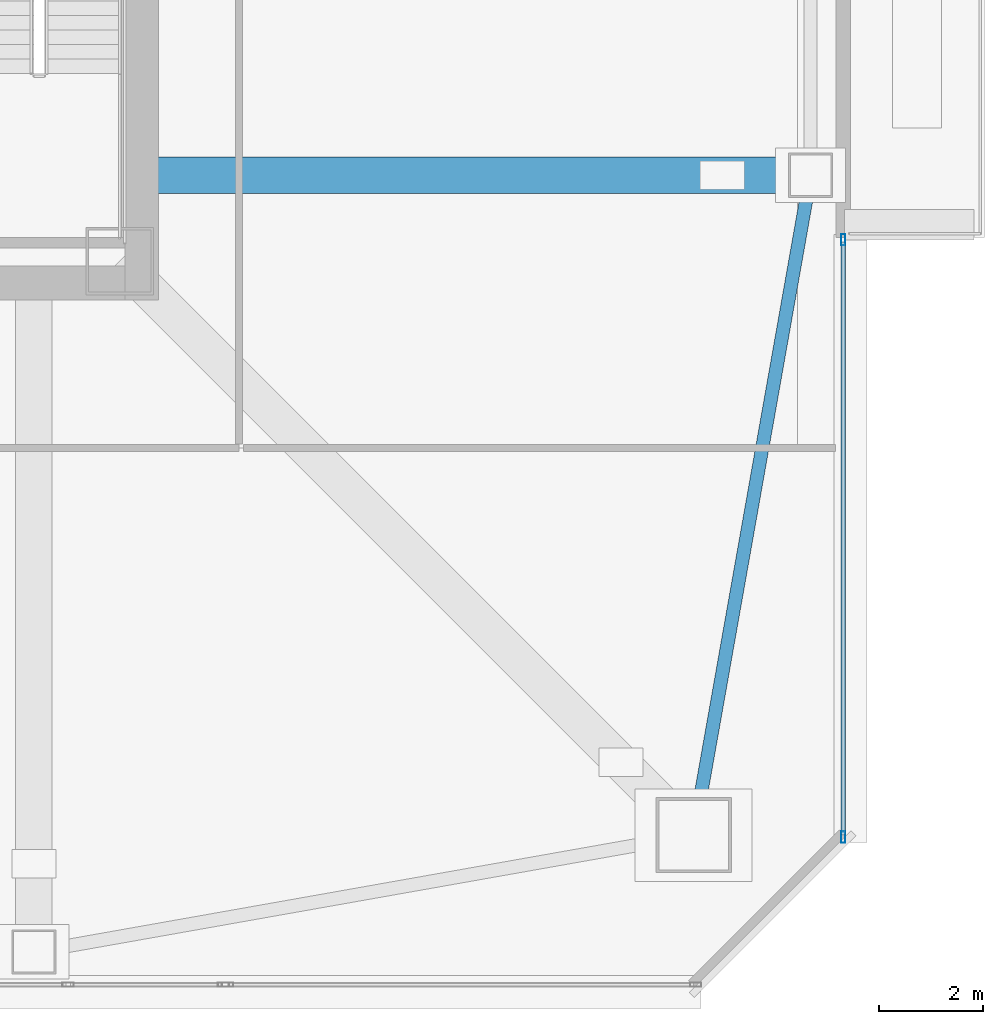
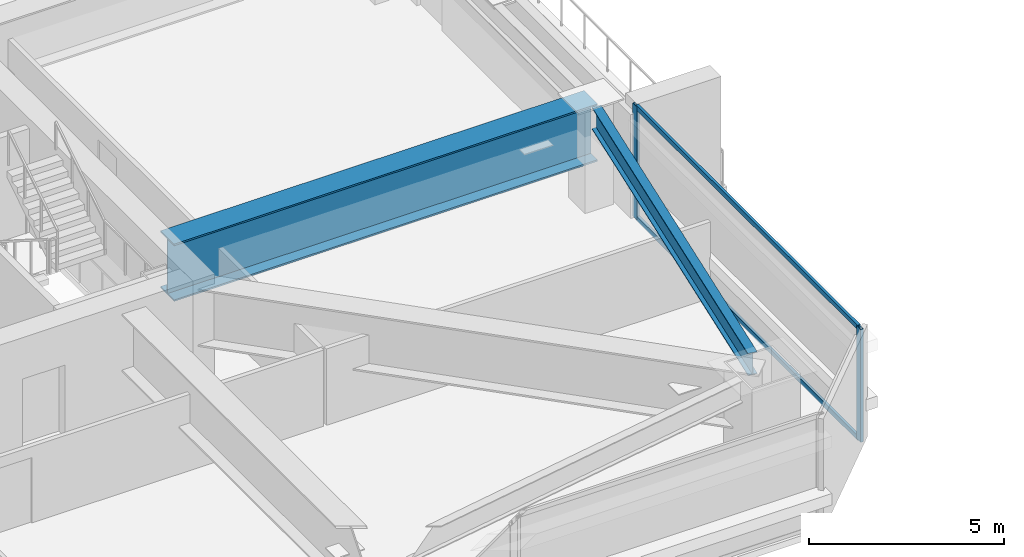
# One storey, part 9 of 49: 4 members, 2 beams, 1 element without a shape of its own.
"""IFC4 building model written with IfcOpenShell, lengths in metres."""

from ifc_helpers import new_model, si_unit, direction, frame, origin, origin_2d, place, context, subcontext, project, spatial, hollow_rectangle, i_section, extrude, material, material_profile, profile_set, type_object, element, aggregate, save


model = new_model("IFC4")

# Units and contexts
model_context = context("Model", 3, precision=1e-05, world=origin(), true_north=direction((0.0, 1.0)))
body_context = subcontext(model_context, "Body", "Model", "MODEL_VIEW")
ifc_project = project(units=[si_unit("LENGTHUNIT", "METRE"), si_unit("AREAUNIT", "SQUARE_METRE"), si_unit("VOLUMEUNIT", "CUBIC_METRE"), si_unit("PLANEANGLEUNIT", "RADIAN"), si_unit("MASSUNIT", "GRAM", prefix="KILO")], contexts=[model_context])

# Site, building, storey
site_placement = place(None, origin())
site = spatial("IfcSite", under=ifc_project, at=site_placement, CompositionType="ELEMENT")
building_placement = place(site_placement, origin())
building = spatial("IfcBuilding", under=site, at=building_placement, Name="Tashvorn Skyway Center", CompositionType="ELEMENT")
storey_placement = place(building_placement, frame((0.0, 0.0, 106.25)))
storey = spatial("IfcBuildingStorey", under=building, at=storey_placement, Name="L28", CompositionType="ELEMENT", Elevation=106.25)

# Beams
ifc_material_1 = material(Name="Steel ASTM A572 Grade 50", Category="steel")
ifc_material_profile_1 = material_profile(ifc_material_1, i_section(OverallWidth=0.699951171875, OverallDepth=1.800048828125, WebThickness=0.031982421875, FlangeThickness=0.050048828125, at=origin_2d()), Name="PG1800x700")
ifc_profile_set_1 = profile_set([ifc_material_profile_1], Name="Steel ASTM A572 Grade 50")
beam_type_1 = type_object("IfcBeamType", Name="BM-BEAM-PG1800x700", PredefinedType="BEAM", material=ifc_profile_set_1)
beam_1_placement = place(storey_placement, frame((62.35009765625, 26.60009765625, 2.35009765625), z_axis=(-1.0, 0.0, 0.0), x_axis=(0.0, -1.0, 0.0)))
element("IfcBeam", 1, at=beam_1_placement, inside=storey, type_object=beam_type_1, Name="Tower 1 L28 Setback Transfer Girder FC-E1", PredefinedType="BEAM", context=body_context, shape_type="SweptSolid", body=[
    extrude(i_section(OverallWidth=0.699951171875, OverallDepth=1.800048828125, WebThickness=0.031982421875, FlangeThickness=0.050048828125, at=origin_2d()), origin(), (0.0, 0.0, 1.0), 12.570068359375),
])
ifc_material_2 = material(Name="Steel ASTM A992 Grade 50", Category="steel")
ifc_material_profile_2 = material_profile(ifc_material_2, i_section(OverallWidth=0.256103515625, OverallDepth=0.693115234375, WebThickness=0.014404296875, FlangeThickness=0.023681640625, at=origin_2d()), Name="W27X114")
ifc_profile_set_2 = profile_set([ifc_material_profile_2], Name="Steel ASTM A992 Grade 50")
beam_type_2 = type_object("IfcBeamType", Name="BM-SPANDREL-W27X114", PredefinedType="SPANDREL", material=ifc_profile_set_2)
beam_2_placement = place(storey_placement, frame((60.2255859375, 14.60888671875, 2.903564453125), z_axis=(0.174437966698, 0.98466816531, 0.0), x_axis=(-0.98466816531, 0.174437966698, 0.0)))
element("IfcBeam", 2, at=beam_2_placement, inside=storey, type_object=beam_type_2, Name="Tower 1 L28 Spandrel Beam 04", PredefinedType="SPANDREL", context=body_context, shape_type="SweptSolid", body=[
    extrude(i_section(OverallWidth=0.256103515625, OverallDepth=0.693115234375, WebThickness=0.014404296875, FlangeThickness=0.023681640625, at=origin_2d()), origin(), (0.0, 0.0, 1.0), 11.7578125),
])

# Curtain wall, members
ifc_material_3 = material(Name="Thermally broken bronze-anodized aluminium 6063-T6", Category="aluminium")
curtain_wall_type = type_object("IfcCurtainWallType", Name="CW-CW-Z2", PredefinedType="NOTDEFINED", material=ifc_material_3)
curtain_wall_placement = place(storey_placement, origin())
curtain_wall = element("IfcCurtainWall", 3, at=curtain_wall_placement, inside=storey, type_object=curtain_wall_type, Name="Tower 1 L28 East Curtain Wall R", PredefinedType="NOTDEFINED")
ifc_material_profile_3 = material_profile(ifc_material_3, hollow_rectangle(XDim=0.080078125, YDim=0.219970703125, WallThickness=0.0048828125, at=origin_2d()), Name="ALU-MULL-80x220")
ifc_profile_set_3 = profile_set([ifc_material_profile_3], Name="Thermally broken bronze-anodized aluminium 6063-T6")
member_type_1 = type_object("IfcMemberType", Name="CWM-CW-Z2", PredefinedType="MULLION", material=ifc_profile_set_3)
member_1_placement = place(storey_placement, frame((62.97998046875, 25.360107421875, 0.0), z_axis=(0.0, 0.0, 1.0), x_axis=(1.0, 0.0, 0.0)))
member_1 = element("IfcMember", 4, at=member_1_placement, type_object=member_type_1, Name="CW-Z2 mullion 1", PredefinedType="MULLION", context=body_context, shape_type="SweptSolid", body=[
    extrude(hollow_rectangle(XDim=0.080078125, YDim=0.219970703125, WallThickness=0.0048828125, at=origin_2d()), origin(), (0.0, 0.0, 1.0), 3.550048828125),
])
member_2_placement = place(storey_placement, frame((62.97998046875, 13.860107421875, 0.0), z_axis=(0.0, 0.0, 1.0), x_axis=(1.0, 0.0, 0.0)))
member_2 = element("IfcMember", 5, at=member_2_placement, type_object=member_type_1, Name="CW-Z2 mullion 2", PredefinedType="MULLION", context=body_context, shape_type="SweptSolid", body=[
    extrude(hollow_rectangle(XDim=0.080078125, YDim=0.219970703125, WallThickness=0.0048828125, at=origin_2d()), origin(), (0.0, 0.0, 1.0), 3.550048828125),
])
ifc_material_profile_4 = material_profile(ifc_material_3, hollow_rectangle(XDim=0.080078125, YDim=0.14990234375, WallThickness=0.00439453125, at=origin_2d()), Name="ALU-TRAN-80x150")
ifc_profile_set_4 = profile_set([ifc_material_profile_4], Name="Thermally broken bronze-anodized aluminium 6063-T6")
member_type_2 = type_object("IfcMemberType", Name="CWT-CW-Z2", PredefinedType="USERDEFINED", material=ifc_profile_set_4)
member_3_placement = place(storey_placement, frame((62.97998046875, 25.320068359375, 0.0400390625), z_axis=(0.0, -1.0, 0.0), x_axis=(1.0, 0.0, 0.0)))
member_3 = element("IfcMember", 6, at=member_3_placement, type_object=member_type_2, Name="CW-Z2 transom 1.1", ObjectType="TRANSOM", PredefinedType="USERDEFINED", context=body_context, shape_type="SweptSolid", body=[
    extrude(hollow_rectangle(XDim=0.080078125, YDim=0.14990234375, WallThickness=0.00439453125, at=origin_2d()), origin(), (0.0, 0.0, 1.0), 11.420166015625),
])
member_4_placement = place(storey_placement, frame((62.97998046875, 25.320068359375, 3.510009765625), z_axis=(0.0, -1.0, 0.0), x_axis=(1.0, 0.0, 0.0)))
member_4 = element("IfcMember", 7, at=member_4_placement, type_object=member_type_2, Name="CW-Z2 transom 1.2", ObjectType="TRANSOM", PredefinedType="USERDEFINED", context=body_context, shape_type="SweptSolid", body=[
    extrude(hollow_rectangle(XDim=0.080078125, YDim=0.14990234375, WallThickness=0.00439453125, at=origin_2d()), origin(), (0.0, 0.0, 1.0), 11.420166015625),
])
aggregate(curtain_wall, [member_1, member_2, member_3, member_4])

save(model, "model.ifc")
